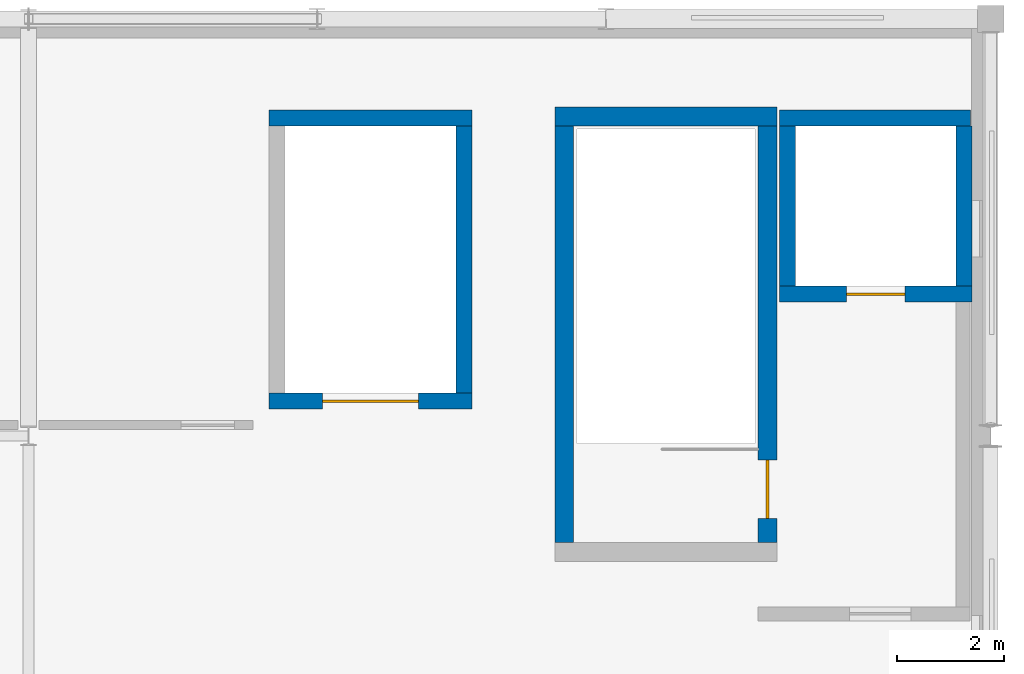
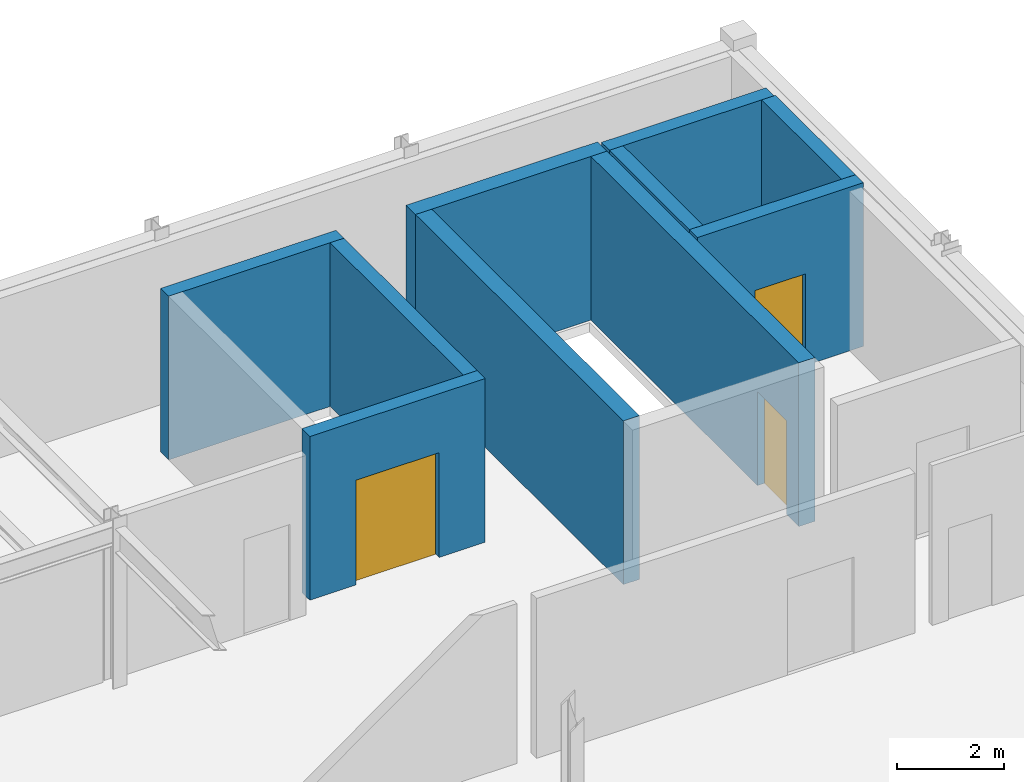
# One storey, part 7 of 8: 10 walls, 3 doors, 3 openings.
"""IFC4 building model written with IfcOpenShell, lengths in metres."""

from ifc_helpers import new_model, si_unit, direction, frame, frame_2d, origin, place, context, subcontext, project, spatial, rectangle, extrude, material, layer, layer_set, type_object, element, fill, save


model = new_model("IFC4")

# Units and contexts
model_context = context("Model", 3, precision=1e-05, world=origin(), true_north=direction((0.0, 1.0)))
body_context = subcontext(model_context, "Body", "Model", "MODEL_VIEW")
ifc_project = project(units=[si_unit("LENGTHUNIT", "METRE"), si_unit("AREAUNIT", "SQUARE_METRE"), si_unit("VOLUMEUNIT", "CUBIC_METRE"), si_unit("PLANEANGLEUNIT", "RADIAN"), si_unit("MASSUNIT", "GRAM", prefix="KILO")], contexts=[model_context])

# Site, building, storey
site_placement = place(None, origin())
site = spatial("IfcSite", under=ifc_project, at=site_placement, CompositionType="ELEMENT")
building_placement = place(site_placement, origin())
building = spatial("IfcBuilding", under=site, at=building_placement, Name="Tazoul Stagehouse", CompositionType="ELEMENT")
storey_placement = place(building_placement, frame((0.0, 0.0, 21.0)))
storey = spatial("IfcBuildingStorey", under=building, at=storey_placement, Name="L05", CompositionType="ELEMENT", Elevation=21.0)

# Walls
ifc_material_1 = material(Name="Concrete C40/50", Category="concrete")
ifc_layer_1 = layer(ifc_material_1, 0.35009765625, Name="Concrete C40/50")
ifc_layer_set_1 = layer_set([ifc_layer_1], Name="Concrete C40/50")
wall_type_1 = type_object("IfcWallType", Name="Core Shear Wall 350", PredefinedType="SOLIDWALL", material=ifc_layer_set_1)
wall_1_placement = place(storey_placement, frame((94.625, 102.0, 0.0), z_axis=(0.0, 0.0, 1.0), x_axis=(0.0, 1.0, 0.0)))
element("IfcWall", 1, at=wall_1_placement, inside=storey, type_object=wall_type_1, Name="L05 Core Wall CW-350 (SHF-ST-01-west)", PredefinedType="SOLIDWALL", context=body_context, shape_type="SweptSolid", body=[
    extrude(rectangle(XDim=7.800048828125, YDim=0.35009765625, at=frame_2d((3.89990234375, 0.0))), origin(), (0.0, 0.0, 1.0), 3.75),
])
wall_2_placement = place(storey_placement, frame((94.449951171875, 109.97509765625, 0.0), z_axis=(0.0, 0.0, 1.0), x_axis=(1.0, 0.0, 0.0)))
element("IfcWall", 2, at=wall_2_placement, inside=storey, type_object=wall_type_1, Name="L05 Core Wall CW-350 (SHF-ST-01-north)", PredefinedType="SOLIDWALL", context=body_context, shape_type="SweptSolid", body=[
    extrude(rectangle(XDim=4.150146484375, YDim=0.35009765625, at=frame_2d((2.0751953125, 0.0))), origin(), (0.0, 0.0, 1.0), 3.75),
])

# Wall, opening, door
wall_3_placement = place(storey_placement, frame((98.425048828125, 109.800048828125, 0.0), z_axis=(0.0, 0.0, 1.0), x_axis=(0.0, -1.0, 0.0)))
wall_3 = element("IfcWall", 3, at=wall_3_placement, inside=storey, type_object=wall_type_1, Name="L05 Core Wall CW-350 (SHF-ST-01-east)", PredefinedType="SOLIDWALL", context=body_context, shape_type="SweptSolid", body=[
    extrude(rectangle(XDim=7.800048828125, YDim=0.35009765625, at=frame_2d((3.89990234375, 0.0))), origin(), (0.0, 0.0, 1.0), 3.75),
])
opening_1_placement = place(wall_3_placement, frame((6.25, 0.0, 0.0)))
opening_1 = element("IfcOpeningElement", 4, at=opening_1_placement, cuts=wall_3, Name="Opening FD-01", PredefinedType="OPENING", context=body_context, shape_type="SweptSolid", body=[
    extrude(rectangle(XDim=1.10009765625, YDim=2.14990234375, at=frame_2d((0.550048828125, 1.074951171875))), frame((0.0, 0.195068359375, 0.0), z_axis=(0.0, -1.0, 0.0), x_axis=(1.0, 0.0, 0.0)), (0.0, 0.0, 1.0), 0.39013671875),
])
ifc_material_2 = material(Name="Powder-Coated Galvanised Acoustic Steel", Category="steel")
door_type_1 = type_object("IfcDoorType", Name="Core Escape Stair Fire Door 1100x2150", OperationType="NOTDEFINED", PredefinedType="DOOR", material=ifc_material_2)
door_1_placement = place(opening_1_placement, origin())
door_1 = element("IfcDoor", 5, at=door_1_placement, inside=storey, type_object=door_type_1, Name="L05 Escape Stair Fire Door FD-01 (ST-01)", OperationType="SINGLE_SWING_LEFT", OverallHeight=2.14990234375, OverallWidth=1.10009765625, PredefinedType="DOOR", context=body_context, shape_type="SweptSolid", body=[
    extrude(rectangle(XDim=1.10009765625, YDim=2.14990234375, at=frame_2d((0.550048828125, 1.074951171875))), frame((0.0, 0.02490234375, 0.0), z_axis=(0.0, -1.0, 0.0), x_axis=(1.0, 0.0, 0.0)), (0.0, 0.0, 1.0), 0.050048828125),
])
fill(opening_1, door_1)

ifc_layer_2 = layer(ifc_material_1, 0.300048828125, Name="Concrete C40/50")
ifc_layer_set_2 = layer_set([ifc_layer_2], Name="Concrete C40/50")
wall_type_2 = type_object("IfcWallType", Name="Lift Shaft Wall 300", PredefinedType="SOLIDWALL", material=ifc_layer_set_2)
wall_4_placement = place(storey_placement, frame((102.25, 106.64990234375, 0.0), z_axis=(0.0, 0.0, 1.0), x_axis=(-1.0, 0.0, 0.0)))
wall_4 = element("IfcWall", 6, at=wall_4_placement, inside=storey, type_object=wall_type_2, Name="L05 Core Wall CW-300 (LSHF-FFL-01-south)", PredefinedType="SOLIDWALL", context=body_context, shape_type="SweptSolid", body=[
    extrude(rectangle(XDim=3.60009765625, YDim=0.300048828125, at=frame_2d((1.800048828125, 0.0))), origin(), (0.0, 0.0, 1.0), 3.75),
])
opening_2_placement = place(wall_4_placement, frame((1.25, 0.0, 0.0)))
opening_2 = element("IfcOpeningElement", 7, at=opening_2_placement, cuts=wall_4, Name="Opening LD-01", PredefinedType="OPENING", context=body_context, shape_type="SweptSolid", body=[
    extrude(rectangle(XDim=1.10009765625, YDim=2.10009765625, at=frame_2d((0.550048828125, 1.050048828125))), frame((0.0, 0.169921875, 0.0), z_axis=(0.0, -1.0, 0.0), x_axis=(1.0, 0.0, 0.0)), (0.0, 0.0, 1.0), 0.340087890625),
])
door_type_2 = type_object("IfcDoorType", Name="Firefighter Lift Sliding Landing Door 1100x2100", OperationType="DOUBLE_DOOR_SLIDING", PredefinedType="DOOR", material=ifc_material_2)
door_2_placement = place(opening_2_placement, origin())
door_2 = element("IfcDoor", 8, at=door_2_placement, inside=storey, type_object=door_type_2, Name="L05 Lift Landing Sliding Door LD-01 (FFL-01)", OperationType="DOUBLE_DOOR_SLIDING", OverallHeight=2.10009765625, OverallWidth=1.10009765625, PredefinedType="DOOR", context=body_context, shape_type="SweptSolid", body=[
    extrude(rectangle(XDim=1.10009765625, YDim=2.10009765625, at=frame_2d((0.550048828125, 1.050048828125))), frame((0.0, 0.02490234375, 0.0), z_axis=(0.0, -1.0, 0.0), x_axis=(1.0, 0.0, 0.0)), (0.0, 0.0, 1.0), 0.050048828125),
])
fill(opening_2, door_2)

# Walls
wall_5_placement = place(storey_placement, frame((98.800048828125, 106.800048828125, 0.0), z_axis=(0.0, 0.0, 1.0), x_axis=(0.0, 1.0, 0.0)))
element("IfcWall", 9, at=wall_5_placement, inside=storey, type_object=wall_type_2, Name="L05 Core Wall CW-300 (LSHF-FFL-01-west)", PredefinedType="SOLIDWALL", context=body_context, shape_type="SweptSolid", body=[
    extrude(rectangle(XDim=3.0, YDim=0.300048828125, at=frame_2d((1.5, 0.0))), origin(), (0.0, 0.0, 1.0), 3.75),
])
wall_6_placement = place(storey_placement, frame((98.64990234375, 109.949951171875, 0.0), z_axis=(0.0, 0.0, 1.0), x_axis=(1.0, 0.0, 0.0)))
element("IfcWall", 10, at=wall_6_placement, inside=storey, type_object=wall_type_2, Name="L05 Core Wall CW-300 (LSHF-FFL-01-north)", PredefinedType="SOLIDWALL", context=body_context, shape_type="SweptSolid", body=[
    extrude(rectangle(XDim=3.570068359375, YDim=0.300048828125, at=frame_2d((1.78515625, 0.0))), origin(), (0.0, 0.0, 1.0), 3.75),
])
wall_7_placement = place(storey_placement, frame((102.10009765625, 109.800048828125, 0.0), z_axis=(0.0, 0.0, 1.0), x_axis=(0.0, -1.0, 0.0)))
element("IfcWall", 11, at=wall_7_placement, inside=storey, type_object=wall_type_2, Name="L05 Core Wall CW-300 (LSHF-FFL-01-east)", PredefinedType="SOLIDWALL", context=body_context, shape_type="SweptSolid", body=[
    extrude(rectangle(XDim=3.0, YDim=0.300048828125, at=frame_2d((1.5, 0.0))), origin(), (0.0, 0.0, 1.0), 3.75),
])

# Wall, opening, door
wall_8_placement = place(storey_placement, frame((92.89990234375, 104.64990234375, 0.0), z_axis=(0.0, 0.0, 1.0), x_axis=(-1.0, 0.0, 0.0)))
wall_8 = element("IfcWall", 12, at=wall_8_placement, inside=storey, type_object=wall_type_2, Name="L05 Core Wall CW-300 (LSHF-GL-01-south)", PredefinedType="SOLIDWALL", context=body_context, shape_type="SweptSolid", body=[
    extrude(rectangle(XDim=3.7998046875, YDim=0.300048828125, at=frame_2d((1.89990234375, 0.0))), origin(), (0.0, 0.0, 1.0), 3.75),
])
opening_3_placement = place(wall_8_placement, frame((1.0, 0.0, 0.0)))
opening_3 = element("IfcOpeningElement", 13, at=opening_3_placement, cuts=wall_8, Name="Opening LD-07", PredefinedType="OPENING", context=body_context, shape_type="SweptSolid", body=[
    extrude(rectangle(XDim=1.800048828125, YDim=2.39990234375, at=frame_2d((0.89990234375, 1.199951171875))), frame((0.0, 0.169921875, 0.0), z_axis=(0.0, -1.0, 0.0), x_axis=(1.0, 0.0, 0.0)), (0.0, 0.0, 1.0), 0.340087890625),
])
door_type_3 = type_object("IfcDoorType", Name="Scenery Goods Lift Sliding Door 1800x2400", OperationType="DOUBLE_DOOR_SLIDING", PredefinedType="DOOR", material=ifc_material_2)
door_3_placement = place(opening_3_placement, origin())
door_3 = element("IfcDoor", 14, at=door_3_placement, inside=storey, type_object=door_type_3, Name="L05 Lift Landing Sliding Door LD-07 (GL-01)", OperationType="DOUBLE_DOOR_SLIDING", OverallHeight=2.39990234375, OverallWidth=1.800048828125, PredefinedType="DOOR", context=body_context, shape_type="SweptSolid", body=[
    extrude(rectangle(XDim=1.800048828125, YDim=2.39990234375, at=frame_2d((0.89990234375, 1.199951171875))), frame((0.0, 0.02490234375, 0.0), z_axis=(0.0, -1.0, 0.0), x_axis=(1.0, 0.0, 0.0)), (0.0, 0.0, 1.0), 0.050048828125),
])
fill(opening_3, door_3)

# Walls
wall_9_placement = place(storey_placement, frame((89.10009765625, 109.949951171875, 0.0), z_axis=(0.0, 0.0, 1.0), x_axis=(1.0, 0.0, 0.0)))
element("IfcWall", 15, at=wall_9_placement, inside=storey, type_object=wall_type_2, Name="L05 Core Wall CW-300 (LSHF-GL-01-north)", PredefinedType="SOLIDWALL", context=body_context, shape_type="SweptSolid", body=[
    extrude(rectangle(XDim=3.7998046875, YDim=0.300048828125, at=frame_2d((1.89990234375, 0.0))), origin(), (0.0, 0.0, 1.0), 3.75),
])
wall_10_placement = place(storey_placement, frame((92.75, 109.800048828125, 0.0), z_axis=(0.0, 0.0, 1.0), x_axis=(0.0, -1.0, 0.0)))
element("IfcWall", 16, at=wall_10_placement, inside=storey, type_object=wall_type_2, Name="L05 Core Wall CW-300 (LSHF-GL-01-east)", PredefinedType="SOLIDWALL", context=body_context, shape_type="SweptSolid", body=[
    extrude(rectangle(XDim=5.0, YDim=0.300048828125, at=frame_2d((2.5, 0.0))), origin(), (0.0, 0.0, 1.0), 3.75),
])

save(model, "model.ifc")
